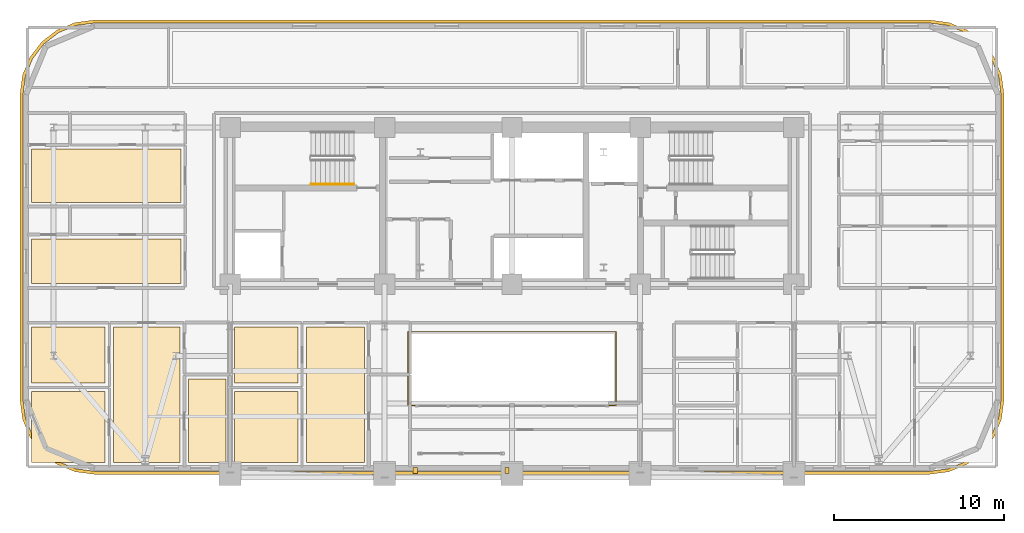
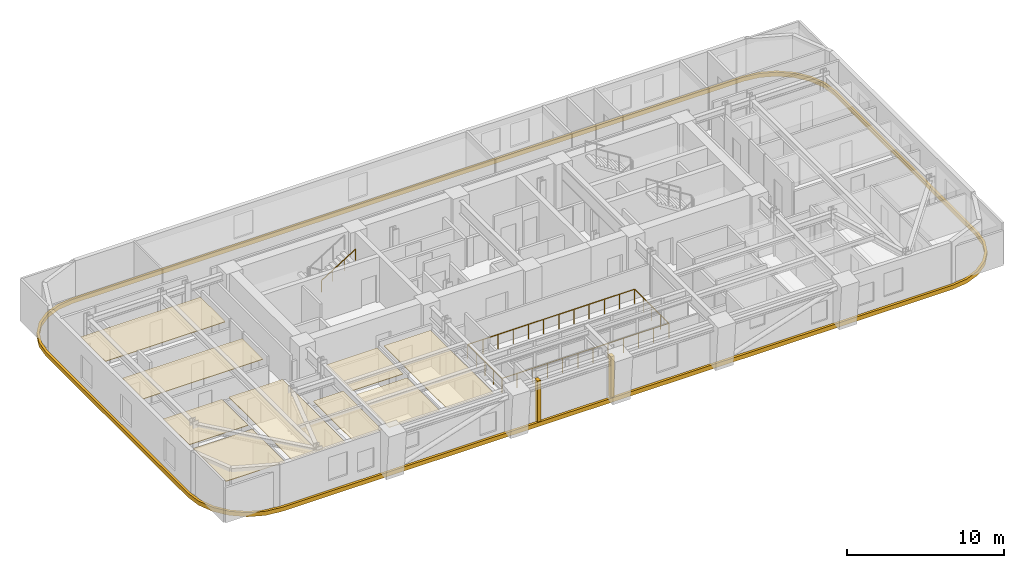
# One storey, part 14 of 16: 12 coverings, 2 railings.
"""IFC4 building model written with IfcOpenShell, lengths in metres."""

import ifcopenshell
import ifcopenshell.guid

model = None  # the IFC model being written
_history = None  # IfcOwnerHistory: only IFC2X3 demands one
_inside = {}  # id of a spatial element -> (the spatial element, [elements in it])
_under = {}  # id of a project, library or spatial element -> (it, [spatial elements below it])
_declared = {}  # id of a project -> (the project, [libraries it declares])
_typed = {}  # id of a type object -> (the type object, [elements of that type])
_made_of = {}  # id of a material, layer set ... -> (it, [elements and type objects made of it])


def new_model(schema):
    """Start an empty IFC model of exactly this schema.

    Asked for "IFC4X3", IfcOpenShell would pick the latest addendum, in which some entities
    have other attributes; the version numbers below select the first issue.
    IFC2X3 requires an IfcOwnerHistory on every rooted entity: one is made here for all.
    """
    global model, _history
    if schema == "IFC4X3":
        model = ifcopenshell.file(schema_version=(4, 3, 0, 0))
    else:
        model = ifcopenshell.file(schema=schema)
    _inside.clear()
    _under.clear()
    _declared.clear()
    _typed.clear()
    _made_of.clear()
    _history = None
    if model.schema == "IFC2X3":
        org = make("IfcOrganization", Name="unknown")
        user = make(
            "IfcPersonAndOrganization",
            ThePerson=make("IfcPerson", FamilyName="unknown"),
            TheOrganization=org,
        )
        app = make(
            "IfcApplication",
            ApplicationDeveloper=org,
            Version="unknown",
            ApplicationFullName="unknown",
            ApplicationIdentifier="unknown",
        )
        _history = make(
            "IfcOwnerHistory",
            OwningUser=user,
            OwningApplication=app,
            ChangeAction="ADDED",
            CreationDate=0,
        )
    return model


def make(cls, **values):
    """One entity of the class cls with the attributes given. An attribute that is None is left unset."""
    return model.create_entity(
        cls, **{name: value for name, value in values.items() if value is not None}
    )


def rooted(cls, **values):
    """An entity with a GlobalId (a new one), such as an element, a storey or a relation."""
    return make(cls, GlobalId=ifcopenshell.guid.new(), OwnerHistory=_history, **values)


def si_unit(unit_type, name, prefix=None):
    """IfcSIUnit, for example si_unit("LENGTHUNIT", "METRE", prefix="MILLI")."""
    return make("IfcSIUnit", UnitType=unit_type, Prefix=prefix, Name=name)


def assignment(units):
    """IfcUnitAssignment: the units of a project."""
    return None if units is None else make("IfcUnitAssignment", Units=units)


def point(xyz):
    """IfcCartesianPoint."""
    return None if xyz is None else make("IfcCartesianPoint", Coordinates=xyz)


def direction(xyz):
    """IfcDirection."""
    return None if xyz is None else make("IfcDirection", DirectionRatios=xyz)


def frame(location, z_axis=None, x_axis=None):
    """IfcAxis2Placement3D, a coordinate frame: its origin and axes. An axis left out is left unset."""
    return make(
        "IfcAxis2Placement3D",
        Location=point(location),
        Axis=direction(z_axis),
        RefDirection=direction(x_axis),
    )


def frame_2d(location, x_axis=None):
    """IfcAxis2Placement2D, a coordinate frame in the plane: its origin and x axis."""
    return make(
        "IfcAxis2Placement2D", Location=point(location), RefDirection=direction(x_axis)
    )


def origin():
    """The frame at (0, 0, 0) with its axes left unset."""
    return frame((0.0, 0.0, 0.0))


def origin_2d():
    """The frame at (0, 0) in the plane with its x axis left unset."""
    return frame_2d((0.0, 0.0))


def place(relative_to, where):
    """IfcLocalPlacement: puts the frame where relative to a parent placement (None: the world)."""
    return make(
        "IfcLocalPlacement", PlacementRelTo=relative_to, RelativePlacement=where
    )


def context(
    kind, dimensions, precision=None, world=None, true_north=None, identifier=None
):
    """IfcGeometricRepresentationContext, for example the 3D "Model" context."""
    return make(
        "IfcGeometricRepresentationContext",
        ContextIdentifier=identifier,
        ContextType=kind,
        CoordinateSpaceDimension=dimensions,
        Precision=precision,
        WorldCoordinateSystem=world,
        TrueNorth=true_north,
    )


def subcontext(parent, identifier, kind, view, scale=None):
    """IfcGeometricRepresentationSubContext, for example "Body" below "Model"."""
    return make(
        "IfcGeometricRepresentationSubContext",
        ContextIdentifier=identifier,
        ContextType=kind,
        ParentContext=parent,
        TargetScale=scale,
        TargetView=view,
    )


def project(units=None, contexts=None):
    """IfcProject with its units and contexts."""
    return rooted(
        "IfcProject",
        Name="project",
        RepresentationContexts=contexts,
        UnitsInContext=assignment(units),
    )


def spatial(cls, under=None, at=None, **own):
    """A site, building, storey or space (cls), placed at a placement, below another one or the project."""
    s = rooted(cls, ObjectPlacement=at, **own)
    if under is not None:
        _under.setdefault(under.id(), (under, []))[1].append(s)
    return s


def polyline(points):
    """IfcPolyline through the points."""
    return make("IfcPolyline", Points=[point(p) for p in points])


def profile(cls, at=None, kind="AREA", **sizes):
    """A parametric profile (cls). Its sizes go by their IFC names, for example OverallWidth=200.0."""
    return make(cls, ProfileType=kind, Position=at, **sizes)


def rectangle(**sizes):
    """IfcRectangleProfileDef."""
    return profile("IfcRectangleProfileDef", **sizes)


def outline(outer, holes=None, kind="AREA"):
    """IfcArbitraryClosedProfileDef: a profile drawn as a closed curve; with holes, ...WithVoids."""
    if holes is None:
        return make("IfcArbitraryClosedProfileDef", ProfileType=kind, OuterCurve=outer)
    return make(
        "IfcArbitraryProfileDefWithVoids",
        ProfileType=kind,
        OuterCurve=outer,
        InnerCurves=holes,
    )


def extrude(swept, where, along, depth):
    """IfcExtrudedAreaSolid: the profile swept, set in the frame where, extruded along a direction by depth."""
    return make(
        "IfcExtrudedAreaSolid",
        SweptArea=swept,
        Position=where,
        ExtrudedDirection=direction(along),
        Depth=depth,
    )


def shape(context_of_items, identifier, shape_type, items):
    """IfcShapeRepresentation: the items that make up one representation, for example the "Body"."""
    return make(
        "IfcShapeRepresentation",
        ContextOfItems=context_of_items,
        RepresentationIdentifier=identifier,
        RepresentationType=shape_type,
        Items=items,
    )


def material(Name=None, Category=None):
    """IfcMaterial."""
    return make("IfcMaterial", Name=Name, Category=Category)


def layer(
    of_material, thickness, ventilated=None, Name=None, Category=None, Priority=None
):
    """IfcMaterialLayer: one layer of a wall or slab, of a material (None: an air gap)."""
    return make(
        "IfcMaterialLayer",
        Material=of_material,
        LayerThickness=thickness,
        IsVentilated=ventilated,
        Name=Name,
        Category=Category,
        Priority=Priority,
    )


def layer_set(layers, Name=None):
    """IfcMaterialLayerSet."""
    return make("IfcMaterialLayerSet", MaterialLayers=layers, LayerSetName=Name)


def made_of(thing, what):
    """Note that an element or type object is made of a material, layer set ...; save() writes the relation."""
    if what is not None:
        _made_of.setdefault(what.id(), (what, []))[1].append(thing)
    return thing


def type_object(cls, material=None, **own):
    """A type object (cls), such as IfcWallType, which elements share."""
    return made_of(rooted(cls, **own), material)


def element(
    cls,
    number,
    at=None,
    inside=None,
    cuts=None,
    type_object=None,
    material=None,
    context=None,
    identifier="Body",
    shape_type=None,
    held_by="IfcProductDefinitionShape",
    body=None,
    shapes=None,
    **own,
):
    """One element of the class cls, such as IfcWall. Its Tag is "e" and its number.

    at: its placement. inside: the storey or other place that contains it. cuts: it is an
    opening in that element (IfcRelVoidsElement). A single representation is given by context,
    identifier, shape_type and body (its items); several are given by shapes. held_by: the class
    of the entity that holds the representations. save() writes the other relations.
    """
    e = rooted(cls, Tag="e%d" % number, ObjectPlacement=at, **own)
    if body is not None:
        shapes = [shape(context, identifier, shape_type, body)]
    if shapes is not None:
        e.Representation = make(held_by, Representations=shapes)
    if inside is not None:
        _inside.setdefault(inside.id(), (inside, []))[1].append(e)
    if cuts is not None:
        rooted(
            "IfcRelVoidsElement", RelatingBuildingElement=cuts, RelatedOpeningElement=e
        )
    if type_object is not None:
        _typed.setdefault(type_object.id(), (type_object, []))[1].append(e)
    return made_of(e, material)


def aggregate(whole, parts):
    """IfcRelAggregates: a whole, such as a stair, and the parts it consists of."""
    return rooted("IfcRelAggregates", RelatingObject=whole, RelatedObjects=parts)


def save(model, path):
    """Write the relations noted so far, then the file.

    IfcRelAggregates (storeys below a building ...), IfcRelContainedInSpatialStructure (elements
    in a storey), IfcRelDefinesByType, IfcRelAssociatesMaterial and IfcRelDeclares: one each for
    every whole, place, type object, material and project.
    """
    for whole, parts in _under.values():
        aggregate(whole, parts)
    for where, things in _inside.values():
        rooted(
            "IfcRelContainedInSpatialStructure",
            RelatedElements=things,
            RelatingStructure=where,
        )
    for kind, things in _typed.values():
        rooted("IfcRelDefinesByType", RelatedObjects=things, RelatingType=kind)
    for what, things in _made_of.values():
        rooted("IfcRelAssociatesMaterial", RelatedObjects=things, RelatingMaterial=what)
    for by, libraries in _declared.values():
        rooted("IfcRelDeclares", RelatingContext=by, RelatedDefinitions=libraries)
    model.write(path)


model = new_model("IFC4")

# Units and contexts
model_context = context("Model", 3, precision=1e-05, world=origin(), true_north=direction((0.0, 1.0)))
body_context = subcontext(model_context, "Body", "Model", "MODEL_VIEW")
ifc_project = project(units=[si_unit("LENGTHUNIT", "METRE"), si_unit("AREAUNIT", "SQUARE_METRE"), si_unit("VOLUMEUNIT", "CUBIC_METRE"), si_unit("PLANEANGLEUNIT", "RADIAN"), si_unit("MASSUNIT", "GRAM", prefix="KILO")], contexts=[model_context])

# Site, building, storey
site_placement = place(None, origin())
site = spatial("IfcSite", under=ifc_project, at=site_placement, CompositionType="ELEMENT")
building_placement = place(site_placement, origin())
building = spatial("IfcBuilding", under=site, at=building_placement, Name="Zarnavel Station Tower", CompositionType="ELEMENT")
storey_placement = place(building_placement, frame((0.0, 0.0, 104.800048828125)))
storey = spatial("IfcBuildingStorey", under=building, at=storey_placement, Name="L28", CompositionType="ELEMENT", Elevation=104.800048828125)

# Coverings
ifc_material_1 = material(Name="Perforated Gypsum and Mineral-Wool Acoustic Ceiling", Category="concrete")
ifc_layer = layer(ifc_material_1, 0.0400390625)
ifc_layer_set = layer_set([ifc_layer], Name="COV_CEIL_ACOUSTIC")
covering_type_1 = type_object("IfcCoveringType", Name="COV_CEIL_ACOUSTIC", PredefinedType="CEILING", material=ifc_layer_set)
covering_1_placement = place(storey_placement, frame((0.0, 0.0, 2.919921875)))
element("IfcCovering", 1, at=covering_1_placement, inside=storey, type_object=covering_type_1, Name="L28 FNW1R Acoustic Ceiling", PredefinedType="CEILING", context=body_context, shape_type="SweptSolid", body=[
    extrude(outline(polyline([(0.510009765625, 27.85009765625), (9.300048828125, 27.85009765625), (9.300048828125, 30.490966796875), (0.510009765625, 30.490966796875), (0.510009765625, 27.85009765625)])), origin(), (0.0, 0.0, 1.0), 0.0400390625),
])
covering_2_placement = place(storey_placement, frame((0.0, 0.0, 2.919921875)))
element("IfcCovering", 2, at=covering_2_placement, inside=storey, type_object=covering_type_1, Name="L28 FNW2R Acoustic Ceiling", PredefinedType="CEILING", context=body_context, shape_type="SweptSolid", body=[
    extrude(outline(polyline([(0.510009765625, 32.64111328125), (9.300048828125, 32.64111328125), (9.300048828125, 35.777099609375), (0.510009765625, 35.777099609375), (0.510009765625, 32.64111328125)])), origin(), (0.0, 0.0, 1.0), 0.0400390625),
])
covering_3_placement = place(storey_placement, frame((0.0, 0.0, 2.919921875)))
element("IfcCovering", 3, at=covering_3_placement, inside=storey, type_object=covering_type_1, Name="L28 UW1ALV Acoustic Ceiling", PredefinedType="CEILING", context=body_context, shape_type="SweptSolid", body=[
    extrude(outline(polyline([(5.33203125, 17.31005859375), (9.25, 17.31005859375), (9.25, 25.300048828125), (5.33203125, 25.300048828125), (5.33203125, 17.31005859375)])), origin(), (0.0, 0.0, 1.0), 0.0400390625),
])
covering_4_placement = place(storey_placement, frame((0.0, 0.0, 2.919921875)))
element("IfcCovering", 4, at=covering_4_placement, inside=storey, type_object=covering_type_1, Name="L28 UW1AKT Acoustic Ceiling", PredefinedType="CEILING", context=body_context, shape_type="SweptSolid", body=[
    extrude(outline(polyline([(9.75, 17.31005859375), (11.949951171875, 17.31005859375), (11.949951171875, 22.243896484375), (9.75, 22.243896484375), (9.75, 17.31005859375)])), origin(), (0.0, 0.0, 1.0), 0.0400390625),
])
covering_5_placement = place(storey_placement, frame((0.0, 0.0, 2.919921875)))
element("IfcCovering", 5, at=covering_5_placement, inside=storey, type_object=covering_type_1, Name="L28 UW1AB1 Acoustic Ceiling", PredefinedType="CEILING", context=body_context, shape_type="SweptSolid", body=[
    extrude(outline(polyline([(0.510009765625, 17.31005859375), (4.83203125, 17.31005859375), (4.83203125, 21.490966796875), (0.510009765625, 21.490966796875), (0.510009765625, 17.31005859375)])), origin(), (0.0, 0.0, 1.0), 0.0400390625),
])
covering_6_placement = place(storey_placement, frame((0.0, 0.0, 2.919921875)))
element("IfcCovering", 6, at=covering_6_placement, inside=storey, type_object=covering_type_1, Name="L28 UW1AB2 Acoustic Ceiling", PredefinedType="CEILING", context=body_context, shape_type="SweptSolid", body=[
    extrude(outline(polyline([(0.510009765625, 21.990966796875), (4.83203125, 21.990966796875), (4.83203125, 25.300048828125), (0.510009765625, 25.300048828125), (0.510009765625, 21.990966796875)])), origin(), (0.0, 0.0, 1.0), 0.0400390625),
])
covering_7_placement = place(storey_placement, frame((0.0, 0.0, 2.919921875)))
element("IfcCovering", 7, at=covering_7_placement, inside=storey, type_object=covering_type_1, Name="L28 UW1BLV Acoustic Ceiling", PredefinedType="CEILING", context=body_context, shape_type="SweptSolid", body=[
    extrude(outline(polyline([(16.68994140625, 17.31005859375), (20.112060546875, 17.31005859375), (20.112060546875, 25.300048828125), (16.68994140625, 25.300048828125), (16.68994140625, 17.31005859375)])), origin(), (0.0, 0.0, 1.0), 0.0400390625),
])
covering_8_placement = place(storey_placement, frame((0.0, 0.0, 2.919921875)))
element("IfcCovering", 8, at=covering_8_placement, inside=storey, type_object=covering_type_1, Name="L28 UW1BB1 Acoustic Ceiling", PredefinedType="CEILING", context=body_context, shape_type="SweptSolid", body=[
    extrude(outline(polyline([(12.449951171875, 17.31005859375), (16.18994140625, 17.31005859375), (16.18994140625, 21.490966796875), (12.449951171875, 21.490966796875), (12.449951171875, 17.31005859375)])), origin(), (0.0, 0.0, 1.0), 0.0400390625),
])
covering_9_placement = place(storey_placement, frame((0.0, 0.0, 2.919921875)))
element("IfcCovering", 9, at=covering_9_placement, inside=storey, type_object=covering_type_1, Name="L28 UW1BB2 Acoustic Ceiling", PredefinedType="CEILING", context=body_context, shape_type="SweptSolid", body=[
    extrude(outline(polyline([(12.449951171875, 21.990966796875), (16.18994140625, 21.990966796875), (16.18994140625, 25.300048828125), (12.449951171875, 25.300048828125), (12.449951171875, 21.990966796875)])), origin(), (0.0, 0.0, 1.0), 0.0400390625),
])
ifc_material_2 = material(Name="Precast concrete C45/55 (Pale Travertine Slab Band)", Category="masonry")
covering_type_2 = type_object("IfcCoveringType", Name="COV_TRAVERTINE_BAND", PredefinedType="CLADDING", material=ifc_material_2)
covering_10_placement = place(storey_placement, frame((0.0, 0.0, -0.260009765625)))
element("IfcCovering", 10, at=covering_10_placement, inside=storey, type_object=covering_type_2, Name="L28 Pale Travertine Slab-Edge Band", PredefinedType="CLADDING", context=body_context, shape_type="SweptSolid", body=[
    extrude(outline(polyline([(53.39990234375, 16.6201171875), (54.53369140625, 16.769287109375), (55.590087890625, 17.206787109375), (56.4970703125, 17.90283203125), (57.193115234375, 18.81005859375), (57.630859375, 19.866455078125), (57.780029296875, 21.0), (57.780029296875, 39.0), (57.630859375, 40.133544921875), (57.193115234375, 41.18994140625), (56.4970703125, 42.09716796875), (55.590087890625, 42.793212890625), (54.53369140625, 43.230712890625), (53.39990234375, 43.3798828125), (4.199951171875, 43.3798828125), (3.06640625, 43.230712890625), (2.010009765625, 42.793212890625), (1.102783203125, 42.09716796875), (0.40673828125, 41.18994140625), (-0.03076171875, 40.133544921875), (-0.179931640625, 39.0), (-0.179931640625, 21.0), (-0.03076171875, 19.866455078125), (0.40673828125, 18.81005859375), (1.102783203125, 17.90283203125), (2.010009765625, 17.206787109375), (3.06640625, 16.769287109375), (4.199951171875, 16.6201171875), (53.39990234375, 16.6201171875)]), holes=[polyline([(53.39990234375, 16.800048828125), (54.487060546875, 16.943115234375), (55.5, 17.36279296875), (56.369873046875, 18.0302734375), (57.037353515625, 18.89990234375), (57.456787109375, 19.9130859375), (57.60009765625, 21.0), (57.60009765625, 39.0), (57.456787109375, 40.0869140625), (57.037353515625, 41.10009765625), (56.369873046875, 41.9697265625), (55.5, 42.63720703125), (54.487060546875, 43.056884765625), (53.39990234375, 43.199951171875), (4.199951171875, 43.199951171875), (3.113037109375, 43.056884765625), (2.10009765625, 42.63720703125), (1.230224609375, 41.9697265625), (0.562744140625, 41.10009765625), (0.14306640625, 40.0869140625), (0.0, 39.0), (0.0, 21.0), (0.14306640625, 19.9130859375), (0.562744140625, 18.89990234375), (1.230224609375, 18.0302734375), (2.10009765625, 17.36279296875), (3.113037109375, 16.943115234375), (4.199951171875, 16.800048828125), (53.39990234375, 16.800048828125)])]), origin(), (0.0, 0.0, 1.0), 0.320068359375),
])
for number, where, z_axis, x_axis, name in (
    (11, (23.10009765625, 16.85009765625, 0.0), (0.0, 0.0, 1.0), (1.0, 0.0, 0.0), "L28 Travertine Portal Loggia Vertical Jog West"),
    (12, (28.5, 16.85009765625, 0.0), (0.0, 0.0, 1.0), (1.0, 0.0, 0.0), "L28 Travertine Portal Loggia Vertical Jog East"),
):
    element("IfcCovering", number, at=place(storey_placement, frame(where, z_axis=z_axis, x_axis=x_axis)), inside=storey, type_object=covering_type_2, Name=name, PredefinedType="CLADDING", context=body_context, shape_type="SweptSolid", body=[
        extrude(rectangle(XDim=0.239990234375, YDim=0.360107421875, at=origin_2d()), origin(), (0.0, 0.0, 1.0), 3.239990234375),
    ])

# Railings
ifc_material_3 = material(Name="Painted Steel S355J2 Balustrade", Category="steel")
railing_type_1 = type_object("IfcRailingType", Name="GR_INT_1150", PredefinedType="GUARDRAIL", material=ifc_material_3)
railing_1_placement = place(storey_placement, frame((22.679931640625, 20.679931640625, 0.0)))
element("IfcRailing", 13, at=railing_1_placement, inside=storey, type_object=railing_type_1, Name="L28 Atrium Void Guardrail", PredefinedType="GUARDRAIL", context=body_context, shape_type="SweptSolid", body=[
    extrude(rectangle(XDim=0.048095703125, YDim=0.048095703125, at=origin_2d()), frame((0.001953125, 0.0, 1.1259765625), z_axis=(1.0, 0.0, 0.0), x_axis=(0.0, 1.0, 0.0)), (0.0, 0.0, 1.0), 12.236083984375),
    extrude(rectangle(XDim=0.048095703125, YDim=0.048095703125, at=origin_2d()), frame((12.239990234375, 0.001953125, 1.1259765625), z_axis=(0.0, 1.0, 0.0), x_axis=(-1.0, 0.0, 0.0)), (0.0, 0.0, 1.0), 4.336181640625),
    extrude(rectangle(XDim=0.048095703125, YDim=0.048095703125, at=origin_2d()), frame((12.238037109375, 4.340087890625, 1.1259765625), z_axis=(-1.0, 0.0, 0.0), x_axis=(0.0, -1.0, 0.0)), (0.0, 0.0, 1.0), 12.236083984375),
    extrude(rectangle(XDim=0.048095703125, YDim=0.048095703125, at=origin_2d()), frame((0.0, 4.338134765625, 1.1259765625), z_axis=(0.0, -1.0, 0.0), x_axis=(1.0, 0.0, 0.0)), (0.0, 0.0, 1.0), 4.336181640625),
    extrude(rectangle(XDim=0.0419921875, YDim=0.0419921875, at=origin_2d()), origin(), (0.0, 0.0, 1.0), 1.101806640625),
    extrude(rectangle(XDim=0.0419921875, YDim=0.0419921875, at=origin_2d()), frame((1.11279296875, 0.0, 0.0)), (0.0, 0.0, 1.0), 1.101806640625),
    extrude(rectangle(XDim=0.0419921875, YDim=0.0419921875, at=origin_2d()), frame((2.225341796875, 0.0, 0.0)), (0.0, 0.0, 1.0), 1.101806640625),
    extrude(rectangle(XDim=0.0419921875, YDim=0.0419921875, at=origin_2d()), frame((3.338134765625, 0.0, 0.0)), (0.0, 0.0, 1.0), 1.101806640625),
    extrude(rectangle(XDim=0.0419921875, YDim=0.0419921875, at=origin_2d()), frame((4.450927734375, 0.0, 0.0)), (0.0, 0.0, 1.0), 1.101806640625),
    extrude(rectangle(XDim=0.0419921875, YDim=0.0419921875, at=origin_2d()), frame((5.563720703125, 0.0, 0.0)), (0.0, 0.0, 1.0), 1.101806640625),
    extrude(rectangle(XDim=0.0419921875, YDim=0.0419921875, at=origin_2d()), frame((6.67626953125, 0.0, 0.0)), (0.0, 0.0, 1.0), 1.101806640625),
    extrude(rectangle(XDim=0.0419921875, YDim=0.0419921875, at=origin_2d()), frame((7.7890625, 0.0, 0.0)), (0.0, 0.0, 1.0), 1.101806640625),
    extrude(rectangle(XDim=0.0419921875, YDim=0.0419921875, at=origin_2d()), frame((8.90185546875, 0.0, 0.0)), (0.0, 0.0, 1.0), 1.101806640625),
    extrude(rectangle(XDim=0.0419921875, YDim=0.0419921875, at=origin_2d()), frame((10.0146484375, 0.0, 0.0)), (0.0, 0.0, 1.0), 1.101806640625),
    extrude(rectangle(XDim=0.0419921875, YDim=0.0419921875, at=origin_2d()), frame((11.127197265625, 0.0, 0.0)), (0.0, 0.0, 1.0), 1.101806640625),
    extrude(rectangle(XDim=0.0419921875, YDim=0.0419921875, at=origin_2d()), frame((12.239990234375, 0.0, 0.0)), (0.0, 0.0, 1.0), 1.101806640625),
    extrude(rectangle(XDim=0.0419921875, YDim=0.0419921875, at=origin_2d()), frame((12.239990234375, 1.0849609375, 0.0)), (0.0, 0.0, 1.0), 1.101806640625),
    extrude(rectangle(XDim=0.0419921875, YDim=0.0419921875, at=origin_2d()), frame((12.239990234375, 2.169921875, 0.0)), (0.0, 0.0, 1.0), 1.101806640625),
    extrude(rectangle(XDim=0.0419921875, YDim=0.0419921875, at=origin_2d()), frame((12.239990234375, 3.255126953125, 0.0)), (0.0, 0.0, 1.0), 1.101806640625),
    extrude(rectangle(XDim=0.0419921875, YDim=0.0419921875, at=origin_2d()), frame((12.239990234375, 4.340087890625, 0.0)), (0.0, 0.0, 1.0), 1.101806640625),
    extrude(rectangle(XDim=0.0419921875, YDim=0.0419921875, at=origin_2d()), frame((11.127197265625, 4.340087890625, 0.0)), (0.0, 0.0, 1.0), 1.101806640625),
    extrude(rectangle(XDim=0.0419921875, YDim=0.0419921875, at=origin_2d()), frame((10.0146484375, 4.340087890625, 0.0)), (0.0, 0.0, 1.0), 1.101806640625),
    extrude(rectangle(XDim=0.0419921875, YDim=0.0419921875, at=origin_2d()), frame((8.90185546875, 4.340087890625, 0.0)), (0.0, 0.0, 1.0), 1.101806640625),
    extrude(rectangle(XDim=0.0419921875, YDim=0.0419921875, at=origin_2d()), frame((7.7890625, 4.340087890625, 0.0)), (0.0, 0.0, 1.0), 1.101806640625),
    extrude(rectangle(XDim=0.0419921875, YDim=0.0419921875, at=origin_2d()), frame((6.67626953125, 4.340087890625, 0.0)), (0.0, 0.0, 1.0), 1.101806640625),
    extrude(rectangle(XDim=0.0419921875, YDim=0.0419921875, at=origin_2d()), frame((5.563720703125, 4.340087890625, 0.0)), (0.0, 0.0, 1.0), 1.101806640625),
    extrude(rectangle(XDim=0.0419921875, YDim=0.0419921875, at=origin_2d()), frame((4.450927734375, 4.340087890625, 0.0)), (0.0, 0.0, 1.0), 1.101806640625),
    extrude(rectangle(XDim=0.0419921875, YDim=0.0419921875, at=origin_2d()), frame((3.338134765625, 4.340087890625, 0.0)), (0.0, 0.0, 1.0), 1.101806640625),
    extrude(rectangle(XDim=0.0419921875, YDim=0.0419921875, at=origin_2d()), frame((2.225341796875, 4.340087890625, 0.0)), (0.0, 0.0, 1.0), 1.101806640625),
    extrude(rectangle(XDim=0.0419921875, YDim=0.0419921875, at=origin_2d()), frame((1.11279296875, 4.340087890625, 0.0)), (0.0, 0.0, 1.0), 1.101806640625),
    extrude(rectangle(XDim=0.0419921875, YDim=0.0419921875, at=origin_2d()), frame((0.0, 4.340087890625, 0.0)), (0.0, 0.0, 1.0), 1.101806640625),
    extrude(rectangle(XDim=0.0419921875, YDim=0.0419921875, at=origin_2d()), frame((0.0, 3.255126953125, 0.0)), (0.0, 0.0, 1.0), 1.101806640625),
    extrude(rectangle(XDim=0.0419921875, YDim=0.0419921875, at=origin_2d()), frame((0.0, 2.169921875, 0.0)), (0.0, 0.0, 1.0), 1.101806640625),
    extrude(rectangle(XDim=0.0419921875, YDim=0.0419921875, at=origin_2d()), frame((0.0, 1.0849609375, 0.0)), (0.0, 0.0, 1.0), 1.101806640625),
])
ifc_material_4 = material(Name="Brushed Stainless Steel S355J2 Handrail", Category="steel")
railing_type_2 = type_object("IfcRailingType", Name="HR_STAIR_900", PredefinedType="HANDRAIL", material=ifc_material_4)
railing_2_placement = place(storey_placement, frame((16.9599609375, 33.7099609375, 1.925048828125)))
element("IfcRailing", 14, at=railing_2_placement, inside=storey, type_object=railing_type_2, Name="L28 ST1 stair handrail 2", PredefinedType="HANDRAIL", context=body_context, shape_type="SweptSolid", body=[
    extrude(rectangle(XDim=0.048095703125, YDim=0.048095703125, at=origin_2d()), frame((0.001708984375, 0.0, 0.876953125), z_axis=(0.848007534815, 0.0, 0.529984170421), x_axis=(0.0, 1.0, 0.0)), (0.0, 0.0, 1.0), 2.9677734375),
    extrude(rectangle(XDim=0.0419921875, YDim=0.0419921875, at=origin_2d()), origin(), (0.0, 0.0, 1.0), 0.851806640625),
    extrude(rectangle(XDim=0.0419921875, YDim=0.0419921875, at=origin_2d()), frame((0.840087890625, 0.0, 0.52490234375)), (0.0, 0.0, 1.0), 0.851806640625),
    extrude(rectangle(XDim=0.0419921875, YDim=0.0419921875, at=origin_2d()), frame((1.679931640625, 0.0, 1.050048828125)), (0.0, 0.0, 1.0), 0.851806640625),
    extrude(rectangle(XDim=0.0419921875, YDim=0.0419921875, at=origin_2d()), frame((2.52001953125, 0.0, 1.574951171875)), (0.0, 0.0, 1.0), 0.851806640625),
])

save(model, "model.ifc")
